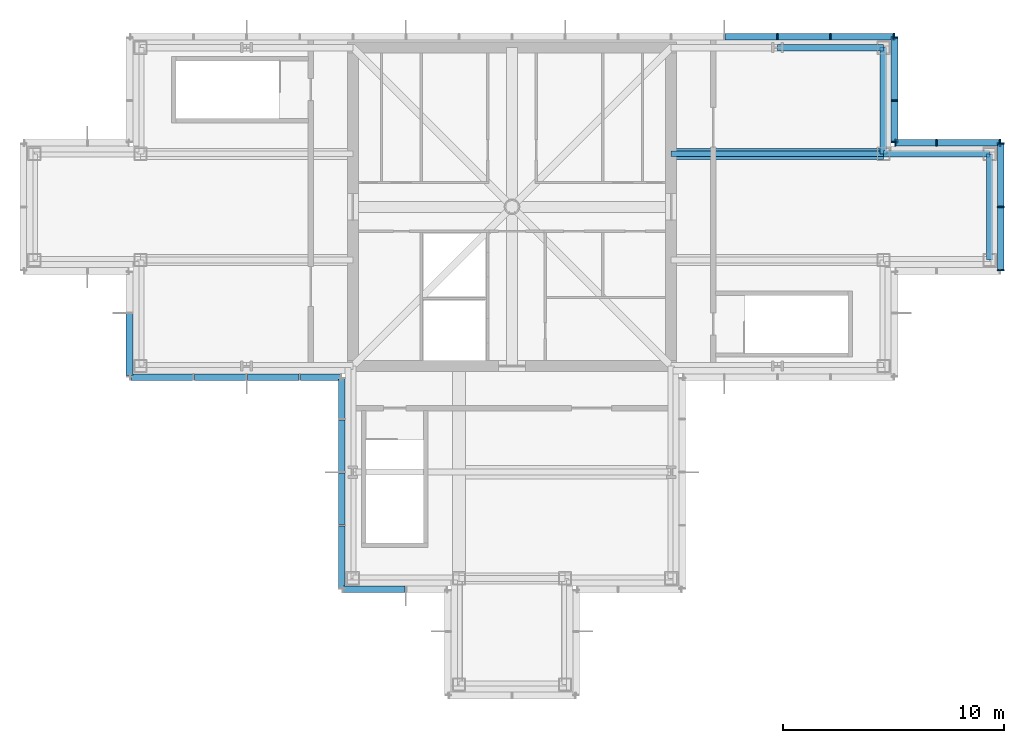
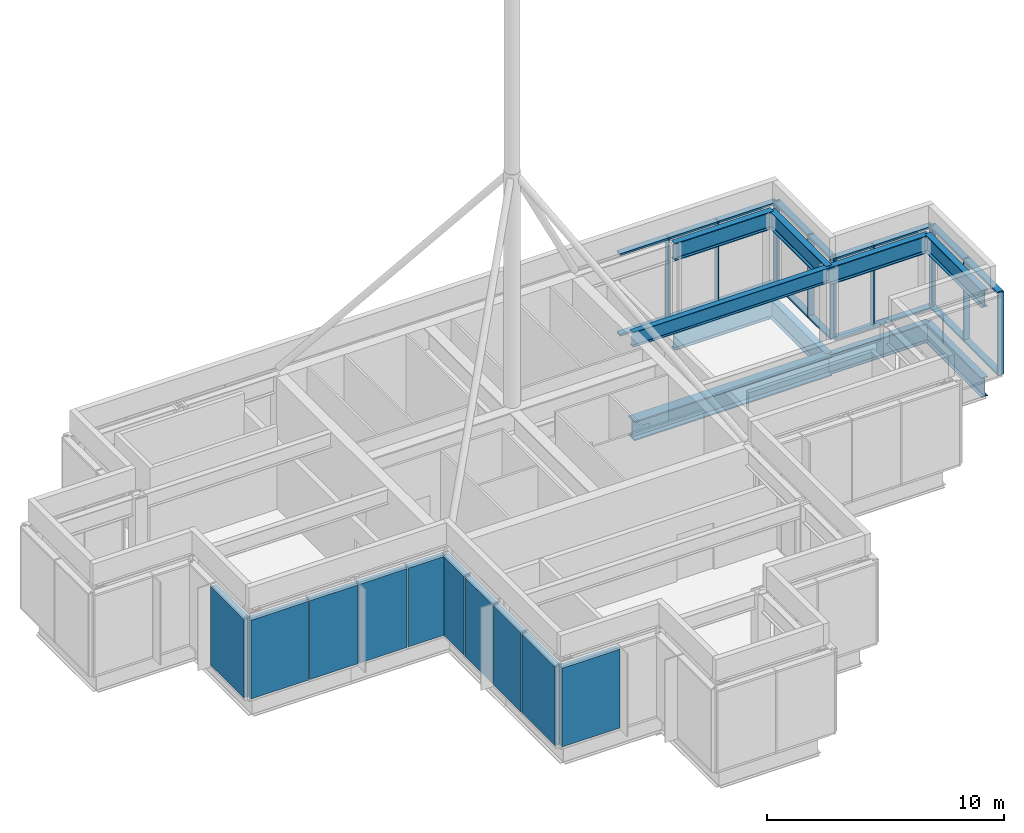
# One storey, part 6 of 10: 30 members, 10 beams, 10 plates, 8 elements without a shape of their own.
"""IFC4 building model written with IfcOpenShell, lengths in metres."""

from ifc_helpers import new_model, si_unit, direction, frame, origin, origin_2d, place, context, subcontext, project, spatial, rectangle, i_section, extrude, material, layer, layer_set, material_profile, profile_set, type_object, element, aggregate, save


model = new_model("IFC4")

# Units and contexts
model_context = context("Model", 3, precision=1e-05, world=origin(), true_north=direction((0.0, 1.0)))
body_context = subcontext(model_context, "Body", "Model", "MODEL_VIEW")
ifc_project = project(units=[si_unit("LENGTHUNIT", "METRE"), si_unit("AREAUNIT", "SQUARE_METRE"), si_unit("VOLUMEUNIT", "CUBIC_METRE"), si_unit("PLANEANGLEUNIT", "RADIAN"), si_unit("MASSUNIT", "GRAM", prefix="KILO")], contexts=[model_context])

# Site, building, storey
site_placement = place(None, origin())
site = spatial("IfcSite", under=ifc_project, at=site_placement, CompositionType="ELEMENT")
building_placement = place(site_placement, origin())
building = spatial("IfcBuilding", under=site, at=building_placement, Name="Kvirike Care Tower", CompositionType="ELEMENT")
storey_placement = place(building_placement, frame((0.0, 0.0, 248.0)))
storey = spatial("IfcBuildingStorey", under=building, at=storey_placement, Name="L68", CompositionType="ELEMENT", Elevation=248.0)

# Curtain wall, members
ifc_material_1 = material(Name="Anodised aluminium stick system", Category="aluminium")
curtain_wall_type = type_object("IfcCurtainWallType", Name="CW-L LOUVRED PLANT SCREEN", PredefinedType="NOTDEFINED", material=ifc_material_1)
curtain_wall_1_placement = place(storey_placement, origin())
curtain_wall_1 = element("IfcCurtainWall", 1, at=curtain_wall_1_placement, inside=storey, type_object=curtain_wall_type, Name="Curtain wall L68 face 4", PredefinedType="NOTDEFINED")
ifc_material_2 = material(Name="Bronze anodised aluminium mullion", Category="aluminium")
ifc_material_profile_1 = material_profile(ifc_material_2, rectangle(XDim=0.06494140625, YDim=0.300048828125, at=origin_2d()), Name="CW-L MULLION 65x300")
ifc_profile_set_1 = profile_set([ifc_material_profile_1], Name="Bronze anodised aluminium mullion")
member_type_1 = type_object("IfcMemberType", Name="CW-L MULLION 65x300", PredefinedType="MULLION", material=ifc_profile_set_1)
member_1_placement = place(storey_placement, frame((43.699951171875, 33.132568359375, 0.0), z_axis=(0.0, 0.0, 1.0), x_axis=(0.0, 1.0, 0.0)))
member_1 = element("IfcMember", 2, at=member_1_placement, type_object=member_type_1, Name="CW-L mullion L68 face 4.1", PredefinedType="MULLION", context=body_context, shape_type="SweptSolid", body=[
    extrude(rectangle(XDim=0.06494140625, YDim=0.300048828125, at=origin_2d()), origin(), (0.0, 0.0, 1.0), 4.25),
])
member_2_placement = place(storey_placement, frame((43.699951171875, 36.0, 0.0), z_axis=(0.0, 0.0, 1.0), x_axis=(0.0, 1.0, 0.0)))
member_2 = element("IfcMember", 3, at=member_2_placement, type_object=member_type_1, Name="CW-L mullion L68 face 4.2", PredefinedType="MULLION", context=body_context, shape_type="SweptSolid", body=[
    extrude(rectangle(XDim=0.06494140625, YDim=0.300048828125, at=origin_2d()), origin(), (0.0, 0.0, 1.0), 4.25),
])
member_3_placement = place(storey_placement, frame((43.699951171875, 38.867431640625, 0.0), z_axis=(0.0, 0.0, 1.0), x_axis=(0.0, 1.0, 0.0)))
member_3 = element("IfcMember", 4, at=member_3_placement, type_object=member_type_1, Name="CW-L mullion L68 face 4.3", PredefinedType="MULLION", context=body_context, shape_type="SweptSolid", body=[
    extrude(rectangle(XDim=0.06494140625, YDim=0.300048828125, at=origin_2d()), origin(), (0.0, 0.0, 1.0), 4.25),
])

curtain_wall_2_placement = place(storey_placement, origin())
curtain_wall_2 = element("IfcCurtainWall", 5, at=curtain_wall_2_placement, inside=storey, type_object=curtain_wall_type, Name="Curtain wall L68 face 5", PredefinedType="NOTDEFINED")
member_4_placement = place(storey_placement, frame((43.66748046875, 38.89990234375, 0.0), z_axis=(0.0, 0.0, 1.0), x_axis=(-1.0, 0.0, 0.0)))
member_4 = element("IfcMember", 6, at=member_4_placement, type_object=member_type_1, Name="CW-L mullion L68 face 5.1", PredefinedType="MULLION", context=body_context, shape_type="SweptSolid", body=[
    extrude(rectangle(XDim=0.06494140625, YDim=0.300048828125, at=origin_2d()), origin(), (0.0, 0.0, 1.0), 4.25),
])
member_5_placement = place(storey_placement, frame((40.800048828125, 38.89990234375, 0.0), z_axis=(0.0, 0.0, 1.0), x_axis=(-1.0, 0.0, 0.0)))
member_5 = element("IfcMember", 7, at=member_5_placement, type_object=member_type_1, Name="CW-L mullion L68 face 5.2", PredefinedType="MULLION", context=body_context, shape_type="SweptSolid", body=[
    extrude(rectangle(XDim=0.06494140625, YDim=0.300048828125, at=origin_2d()), origin(), (0.0, 0.0, 1.0), 4.25),
])
member_6_placement = place(storey_placement, frame((38.9326171875, 38.89990234375, 0.0), z_axis=(0.0, 0.0, 1.0), x_axis=(-1.0, 0.0, 0.0)))
member_6 = element("IfcMember", 8, at=member_6_placement, type_object=member_type_1, Name="CW-L mullion L68 face 5.3", PredefinedType="MULLION", context=body_context, shape_type="SweptSolid", body=[
    extrude(rectangle(XDim=0.06494140625, YDim=0.300048828125, at=origin_2d()), origin(), (0.0, 0.0, 1.0), 4.25),
])

curtain_wall_3_placement = place(storey_placement, origin())
curtain_wall_3 = element("IfcCurtainWall", 9, at=curtain_wall_3_placement, inside=storey, type_object=curtain_wall_type, Name="Curtain wall L68 face 6", PredefinedType="NOTDEFINED")
member_7_placement = place(storey_placement, frame((38.89990234375, 38.9326171875, 0.0), z_axis=(0.0, 0.0, 1.0), x_axis=(0.0, 1.0, 0.0)))
member_7 = element("IfcMember", 10, at=member_7_placement, type_object=member_type_1, Name="CW-L mullion L68 face 6.1", PredefinedType="MULLION", context=body_context, shape_type="SweptSolid", body=[
    extrude(rectangle(XDim=0.06494140625, YDim=0.300048828125, at=origin_2d()), origin(), (0.0, 0.0, 1.0), 4.25),
])
member_8_placement = place(storey_placement, frame((38.89990234375, 40.800048828125, 0.0), z_axis=(0.0, 0.0, 1.0), x_axis=(0.0, 1.0, 0.0)))
member_8 = element("IfcMember", 11, at=member_8_placement, type_object=member_type_1, Name="CW-L mullion L68 face 6.2", PredefinedType="MULLION", context=body_context, shape_type="SweptSolid", body=[
    extrude(rectangle(XDim=0.06494140625, YDim=0.300048828125, at=origin_2d()), origin(), (0.0, 0.0, 1.0), 4.25),
])
member_9_placement = place(storey_placement, frame((38.89990234375, 43.66748046875, 0.0), z_axis=(0.0, 0.0, 1.0), x_axis=(0.0, 1.0, 0.0)))
member_9 = element("IfcMember", 12, at=member_9_placement, type_object=member_type_1, Name="CW-L mullion L68 face 6.3", PredefinedType="MULLION", context=body_context, shape_type="SweptSolid", body=[
    extrude(rectangle(XDim=0.06494140625, YDim=0.300048828125, at=origin_2d()), origin(), (0.0, 0.0, 1.0), 4.25),
])

curtain_wall_4_placement = place(storey_placement, origin())
curtain_wall_4 = element("IfcCurtainWall", 13, at=curtain_wall_4_placement, inside=storey, type_object=curtain_wall_type, Name="Curtain wall L68 face 7", PredefinedType="NOTDEFINED")
member_10_placement = place(storey_placement, frame((38.867431640625, 43.699951171875, 0.0), z_axis=(0.0, 0.0, 1.0), x_axis=(-1.0, 0.0, 0.0)))
member_10 = element("IfcMember", 14, at=member_10_placement, type_object=member_type_1, Name="CW-L mullion L68 face 7.1", PredefinedType="MULLION", context=body_context, shape_type="SweptSolid", body=[
    extrude(rectangle(XDim=0.06494140625, YDim=0.300048828125, at=origin_2d()), origin(), (0.0, 0.0, 1.0), 4.25),
])
member_11_placement = place(storey_placement, frame((36.0, 43.699951171875, 0.0), z_axis=(0.0, 0.0, 1.0), x_axis=(-1.0, 0.0, 0.0)))
member_11 = element("IfcMember", 15, at=member_11_placement, type_object=member_type_1, Name="CW-L mullion L68 face 7.2", PredefinedType="MULLION", context=body_context, shape_type="SweptSolid", body=[
    extrude(rectangle(XDim=0.06494140625, YDim=0.300048828125, at=origin_2d()), origin(), (0.0, 0.0, 1.0), 4.25),
])
member_12_placement = place(storey_placement, frame((33.60009765625, 43.699951171875, 0.0), z_axis=(0.0, 0.0, 1.0), x_axis=(-1.0, 0.0, 0.0)))
member_12 = element("IfcMember", 16, at=member_12_placement, type_object=member_type_1, Name="CW-L mullion L68 face 7.3", PredefinedType="MULLION", context=body_context, shape_type="SweptSolid", body=[
    extrude(rectangle(XDim=0.06494140625, YDim=0.300048828125, at=origin_2d()), origin(), (0.0, 0.0, 1.0), 4.25),
])

# Member
ifc_material_3 = material(Name="Bronze anodised aluminium transom", Category="aluminium")
ifc_material_profile_2 = material_profile(ifc_material_3, rectangle(XDim=0.300048828125, YDim=0.10009765625, at=origin_2d()), Name="CW-L TRANSOM 300x100")
ifc_profile_set_2 = profile_set([ifc_material_profile_2], Name="Bronze anodised aluminium transom")
member_type_2 = type_object("IfcMemberType", Name="CW-L TRANSOM 300x100", PredefinedType="USERDEFINED", material=ifc_profile_set_2)
member_13_placement = place(storey_placement, frame((43.699951171875, 33.1650390625, 0.050048828125), z_axis=(0.0, 1.0, 0.0), x_axis=(-1.0, 0.0, 0.0)))
member_13 = element("IfcMember", 17, at=member_13_placement, type_object=member_type_2, Name="CW-L sill transom L68 face 4.1", ObjectType="TRANSOM", PredefinedType="USERDEFINED", context=body_context, shape_type="SweptSolid", body=[
    extrude(rectangle(XDim=0.300048828125, YDim=0.10009765625, at=origin_2d()), origin(), (0.0, 0.0, 1.0), 2.802490234375),
])

member_14_placement = place(storey_placement, frame((43.699951171875, 33.1650390625, 4.199951171875), z_axis=(0.0, 1.0, 0.0), x_axis=(-1.0, 0.0, 0.0)))
member_14 = element("IfcMember", 18, at=member_14_placement, type_object=member_type_2, Name="CW-L head transom L68 face 4.1", ObjectType="TRANSOM", PredefinedType="USERDEFINED", context=body_context, shape_type="SweptSolid", body=[
    extrude(rectangle(XDim=0.300048828125, YDim=0.10009765625, at=origin_2d()), origin(), (0.0, 0.0, 1.0), 2.802490234375),
])

member_15_placement = place(storey_placement, frame((43.699951171875, 36.032470703125, 0.050048828125), z_axis=(0.0, 1.0, 0.0), x_axis=(-1.0, 0.0, 0.0)))
member_15 = element("IfcMember", 19, at=member_15_placement, type_object=member_type_2, Name="CW-L sill transom L68 face 4.2", ObjectType="TRANSOM", PredefinedType="USERDEFINED", context=body_context, shape_type="SweptSolid", body=[
    extrude(rectangle(XDim=0.300048828125, YDim=0.10009765625, at=origin_2d()), origin(), (0.0, 0.0, 1.0), 2.802490234375),
])

member_16_placement = place(storey_placement, frame((43.699951171875, 36.032470703125, 4.199951171875), z_axis=(0.0, 1.0, 0.0), x_axis=(-1.0, 0.0, 0.0)))
member_16 = element("IfcMember", 20, at=member_16_placement, type_object=member_type_2, Name="CW-L head transom L68 face 4.2", ObjectType="TRANSOM", PredefinedType="USERDEFINED", context=body_context, shape_type="SweptSolid", body=[
    extrude(rectangle(XDim=0.300048828125, YDim=0.10009765625, at=origin_2d()), origin(), (0.0, 0.0, 1.0), 2.802490234375),
])

aggregate(curtain_wall_1, [member_1, member_2, member_3, member_13, member_14, member_15, member_16])

member_17_placement = place(storey_placement, frame((43.635009765625, 38.89990234375, 0.050048828125), z_axis=(-1.0, 0.0, 0.0), x_axis=(0.0, -1.0, 0.0)))
member_17 = element("IfcMember", 21, at=member_17_placement, type_object=member_type_2, Name="CW-L sill transom L68 face 5.1", ObjectType="TRANSOM", PredefinedType="USERDEFINED", context=body_context, shape_type="SweptSolid", body=[
    extrude(rectangle(XDim=0.300048828125, YDim=0.10009765625, at=origin_2d()), origin(), (0.0, 0.0, 1.0), 2.802490234375),
])

member_18_placement = place(storey_placement, frame((43.635009765625, 38.89990234375, 4.199951171875), z_axis=(-1.0, 0.0, 0.0), x_axis=(0.0, -1.0, 0.0)))
member_18 = element("IfcMember", 22, at=member_18_placement, type_object=member_type_2, Name="CW-L head transom L68 face 5.1", ObjectType="TRANSOM", PredefinedType="USERDEFINED", context=body_context, shape_type="SweptSolid", body=[
    extrude(rectangle(XDim=0.300048828125, YDim=0.10009765625, at=origin_2d()), origin(), (0.0, 0.0, 1.0), 2.802490234375),
])

member_19_placement = place(storey_placement, frame((40.767578125, 38.89990234375, 0.050048828125), z_axis=(-1.0, 0.0, 0.0), x_axis=(0.0, -1.0, 0.0)))
member_19 = element("IfcMember", 23, at=member_19_placement, type_object=member_type_2, Name="CW-L sill transom L68 face 5.2", ObjectType="TRANSOM", PredefinedType="USERDEFINED", context=body_context, shape_type="SweptSolid", body=[
    extrude(rectangle(XDim=0.300048828125, YDim=0.10009765625, at=origin_2d()), origin(), (0.0, 0.0, 1.0), 1.802490234375),
])

member_20_placement = place(storey_placement, frame((40.767578125, 38.89990234375, 4.199951171875), z_axis=(-1.0, 0.0, 0.0), x_axis=(0.0, -1.0, 0.0)))
member_20 = element("IfcMember", 24, at=member_20_placement, type_object=member_type_2, Name="CW-L head transom L68 face 5.2", ObjectType="TRANSOM", PredefinedType="USERDEFINED", context=body_context, shape_type="SweptSolid", body=[
    extrude(rectangle(XDim=0.300048828125, YDim=0.10009765625, at=origin_2d()), origin(), (0.0, 0.0, 1.0), 1.802490234375),
])

aggregate(curtain_wall_2, [member_4, member_5, member_6, member_17, member_18, member_19, member_20])

member_21_placement = place(storey_placement, frame((38.89990234375, 38.965087890625, 0.050048828125), z_axis=(0.0, 1.0, 0.0), x_axis=(-1.0, 0.0, 0.0)))
member_21 = element("IfcMember", 25, at=member_21_placement, type_object=member_type_2, Name="CW-L sill transom L68 face 6.1", ObjectType="TRANSOM", PredefinedType="USERDEFINED", context=body_context, shape_type="SweptSolid", body=[
    extrude(rectangle(XDim=0.300048828125, YDim=0.10009765625, at=origin_2d()), origin(), (0.0, 0.0, 1.0), 1.802490234375),
])

member_22_placement = place(storey_placement, frame((38.89990234375, 38.965087890625, 4.199951171875), z_axis=(0.0, 1.0, 0.0), x_axis=(-1.0, 0.0, 0.0)))
member_22 = element("IfcMember", 26, at=member_22_placement, type_object=member_type_2, Name="CW-L head transom L68 face 6.1", ObjectType="TRANSOM", PredefinedType="USERDEFINED", context=body_context, shape_type="SweptSolid", body=[
    extrude(rectangle(XDim=0.300048828125, YDim=0.10009765625, at=origin_2d()), origin(), (0.0, 0.0, 1.0), 1.802490234375),
])

member_23_placement = place(storey_placement, frame((38.89990234375, 40.83251953125, 0.050048828125), z_axis=(0.0, 1.0, 0.0), x_axis=(-1.0, 0.0, 0.0)))
member_23 = element("IfcMember", 27, at=member_23_placement, type_object=member_type_2, Name="CW-L sill transom L68 face 6.2", ObjectType="TRANSOM", PredefinedType="USERDEFINED", context=body_context, shape_type="SweptSolid", body=[
    extrude(rectangle(XDim=0.300048828125, YDim=0.10009765625, at=origin_2d()), origin(), (0.0, 0.0, 1.0), 2.802490234375),
])

member_24_placement = place(storey_placement, frame((38.89990234375, 40.83251953125, 4.199951171875), z_axis=(0.0, 1.0, 0.0), x_axis=(-1.0, 0.0, 0.0)))
member_24 = element("IfcMember", 28, at=member_24_placement, type_object=member_type_2, Name="CW-L head transom L68 face 6.2", ObjectType="TRANSOM", PredefinedType="USERDEFINED", context=body_context, shape_type="SweptSolid", body=[
    extrude(rectangle(XDim=0.300048828125, YDim=0.10009765625, at=origin_2d()), origin(), (0.0, 0.0, 1.0), 2.802490234375),
])

aggregate(curtain_wall_3, [member_7, member_8, member_9, member_21, member_22, member_23, member_24])

member_25_placement = place(storey_placement, frame((38.8349609375, 43.699951171875, 0.050048828125), z_axis=(-1.0, 0.0, 0.0), x_axis=(0.0, -1.0, 0.0)))
member_25 = element("IfcMember", 29, at=member_25_placement, type_object=member_type_2, Name="CW-L sill transom L68 face 7.1", ObjectType="TRANSOM", PredefinedType="USERDEFINED", context=body_context, shape_type="SweptSolid", body=[
    extrude(rectangle(XDim=0.300048828125, YDim=0.10009765625, at=origin_2d()), origin(), (0.0, 0.0, 1.0), 2.802490234375),
])

member_26_placement = place(storey_placement, frame((38.8349609375, 43.699951171875, 4.199951171875), z_axis=(-1.0, 0.0, 0.0), x_axis=(0.0, -1.0, 0.0)))
member_26 = element("IfcMember", 30, at=member_26_placement, type_object=member_type_2, Name="CW-L head transom L68 face 7.1", ObjectType="TRANSOM", PredefinedType="USERDEFINED", context=body_context, shape_type="SweptSolid", body=[
    extrude(rectangle(XDim=0.300048828125, YDim=0.10009765625, at=origin_2d()), origin(), (0.0, 0.0, 1.0), 2.802490234375),
])

member_27_placement = place(storey_placement, frame((35.967529296875, 43.699951171875, 0.050048828125), z_axis=(-1.0, 0.0, 0.0), x_axis=(0.0, -1.0, 0.0)))
member_27 = element("IfcMember", 31, at=member_27_placement, type_object=member_type_2, Name="CW-L sill transom L68 face 7.2", ObjectType="TRANSOM", PredefinedType="USERDEFINED", context=body_context, shape_type="SweptSolid", body=[
    extrude(rectangle(XDim=0.300048828125, YDim=0.10009765625, at=origin_2d()), origin(), (0.0, 0.0, 1.0), 2.3349609375),
])

member_28_placement = place(storey_placement, frame((35.967529296875, 43.699951171875, 4.199951171875), z_axis=(-1.0, 0.0, 0.0), x_axis=(0.0, -1.0, 0.0)))
member_28 = element("IfcMember", 32, at=member_28_placement, type_object=member_type_2, Name="CW-L head transom L68 face 7.2", ObjectType="TRANSOM", PredefinedType="USERDEFINED", context=body_context, shape_type="SweptSolid", body=[
    extrude(rectangle(XDim=0.300048828125, YDim=0.10009765625, at=origin_2d()), origin(), (0.0, 0.0, 1.0), 2.3349609375),
])

member_29_placement = place(storey_placement, frame((33.5673828125, 43.699951171875, 0.050048828125), z_axis=(-1.0, 0.0, 0.0), x_axis=(0.0, -1.0, 0.0)))
member_29 = element("IfcMember", 33, at=member_29_placement, type_object=member_type_2, Name="CW-L sill transom L68 face 7.3", ObjectType="TRANSOM", PredefinedType="USERDEFINED", context=body_context, shape_type="SweptSolid", body=[
    extrude(rectangle(XDim=0.300048828125, YDim=0.10009765625, at=origin_2d()), origin(), (0.0, 0.0, 1.0), 2.3349609375),
])

member_30_placement = place(storey_placement, frame((33.5673828125, 43.699951171875, 4.199951171875), z_axis=(-1.0, 0.0, 0.0), x_axis=(0.0, -1.0, 0.0)))
member_30 = element("IfcMember", 34, at=member_30_placement, type_object=member_type_2, Name="CW-L head transom L68 face 7.3", ObjectType="TRANSOM", PredefinedType="USERDEFINED", context=body_context, shape_type="SweptSolid", body=[
    extrude(rectangle(XDim=0.300048828125, YDim=0.10009765625, at=origin_2d()), origin(), (0.0, 0.0, 1.0), 2.3349609375),
])

aggregate(curtain_wall_4, [member_10, member_11, member_12, member_25, member_26, member_27, member_28, member_29, member_30])

# Beams
ifc_material_4 = material(Name="Steel S355", Category="steel")
ifc_material_profile_3 = material_profile(ifc_material_4, i_section(OverallWidth=0.26708984375, OverallDepth=0.761962890625, WebThickness=0.014404296875, FlangeThickness=0.021484375, FilletRadius=0.01708984375, at=origin_2d()), Name="IPE 750x173")
ifc_profile_set_3 = profile_set([ifc_material_profile_3], Name="Steel S355")
beam_type_1 = type_object("IfcBeamType", Name="FLOOR BEAM IPE 750x173", PredefinedType="BEAM", material=ifc_profile_set_3)
beam_1_placement = place(storey_placement, frame((28.800048828125, 38.39990234375, 3.868896484375), z_axis=(1.0, 0.0, 0.0), x_axis=(0.0, 1.0, 0.0)))
element("IfcBeam", 35, at=beam_1_placement, inside=storey, type_object=beam_type_1, Name="Floor Beam J9-J11 roof", PredefinedType="BEAM", context=body_context, shape_type="SweptSolid", body=[
    extrude(i_section(OverallWidth=0.26708984375, OverallDepth=0.761962890625, WebThickness=0.014404296875, FlangeThickness=0.021484375, FilletRadius=0.01708984375, at=origin_2d()), origin(), (0.0, 0.0, 1.0), 9.599853515625),
])
ifc_material_5 = material(Name="Steel S355", Category="steel")
ifc_material_profile_4 = material_profile(ifc_material_5, i_section(OverallWidth=0.5, OverallDepth=1.0, WebThickness=0.030029296875, FlangeThickness=0.06005859375, at=origin_2d()), Name="PG 1000x500x30x60")
ifc_profile_set_4 = profile_set([ifc_material_profile_4], Name="Steel S355")
beam_type_2 = type_object("IfcBeamType", Name="PLANT FLOOR GIRDER PG 1000x500x30x60", PredefinedType="BEAM", material=ifc_profile_set_4)
beam_2_placement = place(storey_placement, frame((28.800048828125, 38.39990234375, -0.75), z_axis=(1.0, 0.0, 0.0), x_axis=(0.0, 1.0, 0.0)))
element("IfcBeam", 36, at=beam_2_placement, inside=storey, type_object=beam_type_2, Name="Plant Floor Girder J9-J11 L68", PredefinedType="BEAM", context=body_context, shape_type="SweptSolid", body=[
    extrude(i_section(OverallWidth=0.5, OverallDepth=1.0, WebThickness=0.030029296875, FlangeThickness=0.06005859375, at=origin_2d()), origin(), (0.0, 0.0, 1.0), 9.599853515625),
])
ifc_material_6 = material(Name="Steel S355", Category="steel")
ifc_material_profile_5 = material_profile(ifc_material_6, i_section(OverallWidth=0.302001953125, OverallDepth=1.008056640625, WebThickness=0.02099609375, FlangeThickness=0.0400390625, FilletRadius=0.030029296875, at=origin_2d()), Name="HE 1000 M")
ifc_profile_set_5 = profile_set([ifc_material_profile_5], Name="Steel S355")
beam_type_3 = type_object("IfcBeamType", Name="SPANDREL HE 1000 M", PredefinedType="SPANDREL", material=ifc_profile_set_5)
beam_3_placement = place(storey_placement, frame((38.39990234375, 38.39990234375, -0.75390625), z_axis=(1.0, 0.0, 0.0), x_axis=(0.0, 1.0, 0.0)))
element("IfcBeam", 37, at=beam_3_placement, inside=storey, type_object=beam_type_3, Name="Spandrel J11-J12 L68", PredefinedType="SPANDREL", context=body_context, shape_type="SweptSolid", body=[
    extrude(i_section(OverallWidth=0.302001953125, OverallDepth=1.008056640625, WebThickness=0.02099609375, FlangeThickness=0.0400390625, FilletRadius=0.030029296875, at=origin_2d()), origin(), (0.0, 0.0, 1.0), 4.800048828125),
])
beam_4_placement = place(storey_placement, frame((33.60009765625, 43.199951171875, -0.75390625), z_axis=(1.0, 0.0, 0.0), x_axis=(0.0, 1.0, 0.0)))
element("IfcBeam", 38, at=beam_4_placement, inside=storey, type_object=beam_type_3, Name="Spandrel K10-K11 L68", PredefinedType="SPANDREL", context=body_context, shape_type="SweptSolid", body=[
    extrude(i_section(OverallWidth=0.302001953125, OverallDepth=1.008056640625, WebThickness=0.02099609375, FlangeThickness=0.0400390625, FilletRadius=0.030029296875, at=origin_2d()), origin(), (0.0, 0.0, 1.0), 4.7998046875),
])
beam_5_placement = place(storey_placement, frame((38.39990234375, 38.39990234375, -0.75390625), z_axis=(0.0, 1.0, 0.0), x_axis=(-1.0, 0.0, 0.0)))
element("IfcBeam", 39, at=beam_5_placement, inside=storey, type_object=beam_type_3, Name="Spandrel J11-K11 L68", PredefinedType="SPANDREL", context=body_context, shape_type="SweptSolid", body=[
    extrude(i_section(OverallWidth=0.302001953125, OverallDepth=1.008056640625, WebThickness=0.02099609375, FlangeThickness=0.0400390625, FilletRadius=0.030029296875, at=origin_2d()), origin(), (0.0, 0.0, 1.0), 4.800048828125),
])
beam_6_placement = place(storey_placement, frame((43.199951171875, 33.60009765625, -0.75390625), z_axis=(0.0, 1.0, 0.0), x_axis=(-1.0, 0.0, 0.0)))
element("IfcBeam", 40, at=beam_6_placement, inside=storey, type_object=beam_type_3, Name="Spandrel H12-J12 L68", PredefinedType="SPANDREL", context=body_context, shape_type="SweptSolid", body=[
    extrude(i_section(OverallWidth=0.302001953125, OverallDepth=1.008056640625, WebThickness=0.02099609375, FlangeThickness=0.0400390625, FilletRadius=0.030029296875, at=origin_2d()), origin(), (0.0, 0.0, 1.0), 4.7998046875),
])
ifc_material_7 = material(Name="Steel S355", Category="steel")
ifc_material_profile_6 = material_profile(ifc_material_7, i_section(OverallWidth=0.300048828125, OverallDepth=0.89990234375, WebThickness=0.0185546875, FlangeThickness=0.034912109375, FilletRadius=0.030029296875, at=origin_2d()), Name="HE 900 B")
ifc_profile_set_6 = profile_set([ifc_material_profile_6], Name="Steel S355")
beam_type_4 = type_object("IfcBeamType", Name="SPANDREL HE 900 B", PredefinedType="SPANDREL", material=ifc_profile_set_6)
beam_7_placement = place(storey_placement, frame((38.39990234375, 38.39990234375, 3.800048828125), z_axis=(1.0, 0.0, 0.0), x_axis=(0.0, 1.0, 0.0)))
element("IfcBeam", 41, at=beam_7_placement, inside=storey, type_object=beam_type_4, Name="Spandrel J11-J12 roof", PredefinedType="SPANDREL", context=body_context, shape_type="SweptSolid", body=[
    extrude(i_section(OverallWidth=0.300048828125, OverallDepth=0.89990234375, WebThickness=0.0185546875, FlangeThickness=0.034912109375, FilletRadius=0.030029296875, at=origin_2d()), origin(), (0.0, 0.0, 1.0), 4.800048828125),
])
beam_8_placement = place(storey_placement, frame((33.60009765625, 43.199951171875, 3.800048828125), z_axis=(1.0, 0.0, 0.0), x_axis=(0.0, 1.0, 0.0)))
element("IfcBeam", 42, at=beam_8_placement, inside=storey, type_object=beam_type_4, Name="Spandrel K10-K11 roof", PredefinedType="SPANDREL", context=body_context, shape_type="SweptSolid", body=[
    extrude(i_section(OverallWidth=0.300048828125, OverallDepth=0.89990234375, WebThickness=0.0185546875, FlangeThickness=0.034912109375, FilletRadius=0.030029296875, at=origin_2d()), origin(), (0.0, 0.0, 1.0), 4.7998046875),
])
beam_9_placement = place(storey_placement, frame((38.39990234375, 38.39990234375, 3.800048828125), z_axis=(0.0, 1.0, 0.0), x_axis=(-1.0, 0.0, 0.0)))
element("IfcBeam", 43, at=beam_9_placement, inside=storey, type_object=beam_type_4, Name="Spandrel J11-K11 roof", PredefinedType="SPANDREL", context=body_context, shape_type="SweptSolid", body=[
    extrude(i_section(OverallWidth=0.300048828125, OverallDepth=0.89990234375, WebThickness=0.0185546875, FlangeThickness=0.034912109375, FilletRadius=0.030029296875, at=origin_2d()), origin(), (0.0, 0.0, 1.0), 4.800048828125),
])
beam_10_placement = place(storey_placement, frame((43.199951171875, 33.60009765625, 3.800048828125), z_axis=(0.0, 1.0, 0.0), x_axis=(-1.0, 0.0, 0.0)))
element("IfcBeam", 44, at=beam_10_placement, inside=storey, type_object=beam_type_4, Name="Spandrel H12-J12 roof", PredefinedType="SPANDREL", context=body_context, shape_type="SweptSolid", body=[
    extrude(i_section(OverallWidth=0.300048828125, OverallDepth=0.89990234375, WebThickness=0.0185546875, FlangeThickness=0.034912109375, FilletRadius=0.030029296875, at=origin_2d()), origin(), (0.0, 0.0, 1.0), 4.7998046875),
])

# Curtain wall, plate
curtain_wall_5_placement = place(storey_placement, origin())
curtain_wall_5 = element("IfcCurtainWall", 45, at=curtain_wall_5_placement, inside=storey, type_object=curtain_wall_type, Name="Curtain wall L68 face 12", PredefinedType="NOTDEFINED")
ifc_material_8 = material(Name="Bronze anodised aluminium louvre", Category="aluminium")
ifc_layer = layer(ifc_material_8, 0.300048828125)
ifc_layer_set = layer_set([ifc_layer], Name="BRONZE LOUVRE PANEL")
plate_type = type_object("IfcPlateType", Name="BRONZE LOUVRE PANEL", PredefinedType="CURTAIN_PANEL", material=ifc_layer_set)
plate_1_placement = place(storey_placement, frame((4.300048828125, 29.766357421875, 0.10009765625), z_axis=(0.0, 0.0, 1.0), x_axis=(0.0, -1.0, 0.0)))
plate_1 = element("IfcPlate", 46, at=plate_1_placement, type_object=plate_type, Name="CW-L panel L68 face 12.2", PredefinedType="CURTAIN_PANEL", context=body_context, shape_type="SweptSolid", body=[
    extrude(rectangle(XDim=2.802490234375, YDim=0.300048828125, at=origin_2d()), origin(), (0.0, 0.0, 1.0), 4.050048828125),
])
aggregate(curtain_wall_5, [plate_1])

# Curtain wall, plates
curtain_wall_6_placement = place(storey_placement, origin())
curtain_wall_6 = element("IfcCurtainWall", 47, at=curtain_wall_6_placement, inside=storey, type_object=curtain_wall_type, Name="Curtain wall L68 face 13", PredefinedType="NOTDEFINED")
plate_2_placement = place(storey_placement, frame((5.766357421875, 28.300048828125, 0.10009765625), z_axis=(0.0, 0.0, 1.0), x_axis=(1.0, 0.0, 0.0)))
plate_2 = element("IfcPlate", 48, at=plate_2_placement, type_object=plate_type, Name="CW-L panel L68 face 13.1", PredefinedType="CURTAIN_PANEL", context=body_context, shape_type="SweptSolid", body=[
    extrude(rectangle(XDim=2.802490234375, YDim=0.300048828125, at=origin_2d()), origin(), (0.0, 0.0, 1.0), 4.050048828125),
])
plate_3_placement = place(storey_placement, frame((8.39990234375, 28.300048828125, 0.10009765625), z_axis=(0.0, 0.0, 1.0), x_axis=(1.0, 0.0, 0.0)))
plate_3 = element("IfcPlate", 49, at=plate_3_placement, type_object=plate_type, Name="CW-L panel L68 face 13.2", PredefinedType="CURTAIN_PANEL", context=body_context, shape_type="SweptSolid", body=[
    extrude(rectangle(XDim=2.3349609375, YDim=0.300048828125, at=origin_2d()), origin(), (0.0, 0.0, 1.0), 4.050048828125),
])
plate_4_placement = place(storey_placement, frame((10.800048828125, 28.300048828125, 0.10009765625), z_axis=(0.0, 0.0, 1.0), x_axis=(1.0, 0.0, 0.0)))
plate_4 = element("IfcPlate", 50, at=plate_4_placement, type_object=plate_type, Name="CW-L panel L68 face 13.3", PredefinedType="CURTAIN_PANEL", context=body_context, shape_type="SweptSolid", body=[
    extrude(rectangle(XDim=2.3349609375, YDim=0.300048828125, at=origin_2d()), origin(), (0.0, 0.0, 1.0), 4.050048828125),
])
plate_5_placement = place(storey_placement, frame((12.933837890625, 28.300048828125, 0.10009765625), z_axis=(0.0, 0.0, 1.0), x_axis=(1.0, 0.0, 0.0)))
plate_5 = element("IfcPlate", 51, at=plate_5_placement, type_object=plate_type, Name="CW-L panel L68 face 13.4", PredefinedType="CURTAIN_PANEL", context=body_context, shape_type="SweptSolid", body=[
    extrude(rectangle(XDim=1.802490234375, YDim=0.300048828125, at=origin_2d()), origin(), (0.0, 0.0, 1.0), 4.050048828125),
])
aggregate(curtain_wall_6, [plate_2, plate_3, plate_4, plate_5])

curtain_wall_7_placement = place(storey_placement, origin())
curtain_wall_7 = element("IfcCurtainWall", 52, at=curtain_wall_7_placement, inside=storey, type_object=curtain_wall_type, Name="Curtain wall L68 face 14", PredefinedType="NOTDEFINED")
plate_6_placement = place(storey_placement, frame((13.89990234375, 27.333740234375, 0.10009765625), z_axis=(0.0, 0.0, 1.0), x_axis=(0.0, -1.0, 0.0)))
plate_6 = element("IfcPlate", 53, at=plate_6_placement, type_object=plate_type, Name="CW-L panel L68 face 14.1", PredefinedType="CURTAIN_PANEL", context=body_context, shape_type="SweptSolid", body=[
    extrude(rectangle(XDim=1.802490234375, YDim=0.300048828125, at=origin_2d()), origin(), (0.0, 0.0, 1.0), 4.050048828125),
])
plate_7_placement = place(storey_placement, frame((13.89990234375, 25.199951171875, 0.10009765625), z_axis=(0.0, 0.0, 1.0), x_axis=(0.0, -1.0, 0.0)))
plate_7 = element("IfcPlate", 54, at=plate_7_placement, type_object=plate_type, Name="CW-L panel L68 face 14.2", PredefinedType="CURTAIN_PANEL", context=body_context, shape_type="SweptSolid", body=[
    extrude(rectangle(XDim=2.3349609375, YDim=0.300048828125, at=origin_2d()), origin(), (0.0, 0.0, 1.0), 4.050048828125),
])
plate_8_placement = place(storey_placement, frame((13.89990234375, 22.800048828125, 0.10009765625), z_axis=(0.0, 0.0, 1.0), x_axis=(0.0, -1.0, 0.0)))
plate_8 = element("IfcPlate", 55, at=plate_8_placement, type_object=plate_type, Name="CW-L panel L68 face 14.3", PredefinedType="CURTAIN_PANEL", context=body_context, shape_type="SweptSolid", body=[
    extrude(rectangle(XDim=2.3349609375, YDim=0.300048828125, at=origin_2d()), origin(), (0.0, 0.0, 1.0), 4.050048828125),
])
plate_9_placement = place(storey_placement, frame((13.89990234375, 20.166259765625, 0.10009765625), z_axis=(0.0, 0.0, 1.0), x_axis=(0.0, -1.0, 0.0)))
plate_9 = element("IfcPlate", 56, at=plate_9_placement, type_object=plate_type, Name="CW-L panel L68 face 14.4", PredefinedType="CURTAIN_PANEL", context=body_context, shape_type="SweptSolid", body=[
    extrude(rectangle(XDim=2.802490234375, YDim=0.300048828125, at=origin_2d()), origin(), (0.0, 0.0, 1.0), 4.050048828125),
])
aggregate(curtain_wall_7, [plate_6, plate_7, plate_8, plate_9])

# Curtain wall, plate
curtain_wall_8_placement = place(storey_placement, origin())
curtain_wall_8 = element("IfcCurtainWall", 57, at=curtain_wall_8_placement, inside=storey, type_object=curtain_wall_type, Name="Curtain wall L68 face 15", PredefinedType="NOTDEFINED")
plate_10_placement = place(storey_placement, frame((15.3662109375, 18.699951171875, 0.10009765625), z_axis=(0.0, 0.0, 1.0), x_axis=(1.0, 0.0, 0.0)))
plate_10 = element("IfcPlate", 58, at=plate_10_placement, type_object=plate_type, Name="CW-L panel L68 face 15.1", PredefinedType="CURTAIN_PANEL", context=body_context, shape_type="SweptSolid", body=[
    extrude(rectangle(XDim=2.802490234375, YDim=0.300048828125, at=origin_2d()), origin(), (0.0, 0.0, 1.0), 4.050048828125),
])
aggregate(curtain_wall_8, [plate_10])

save(model, "model.ifc")
